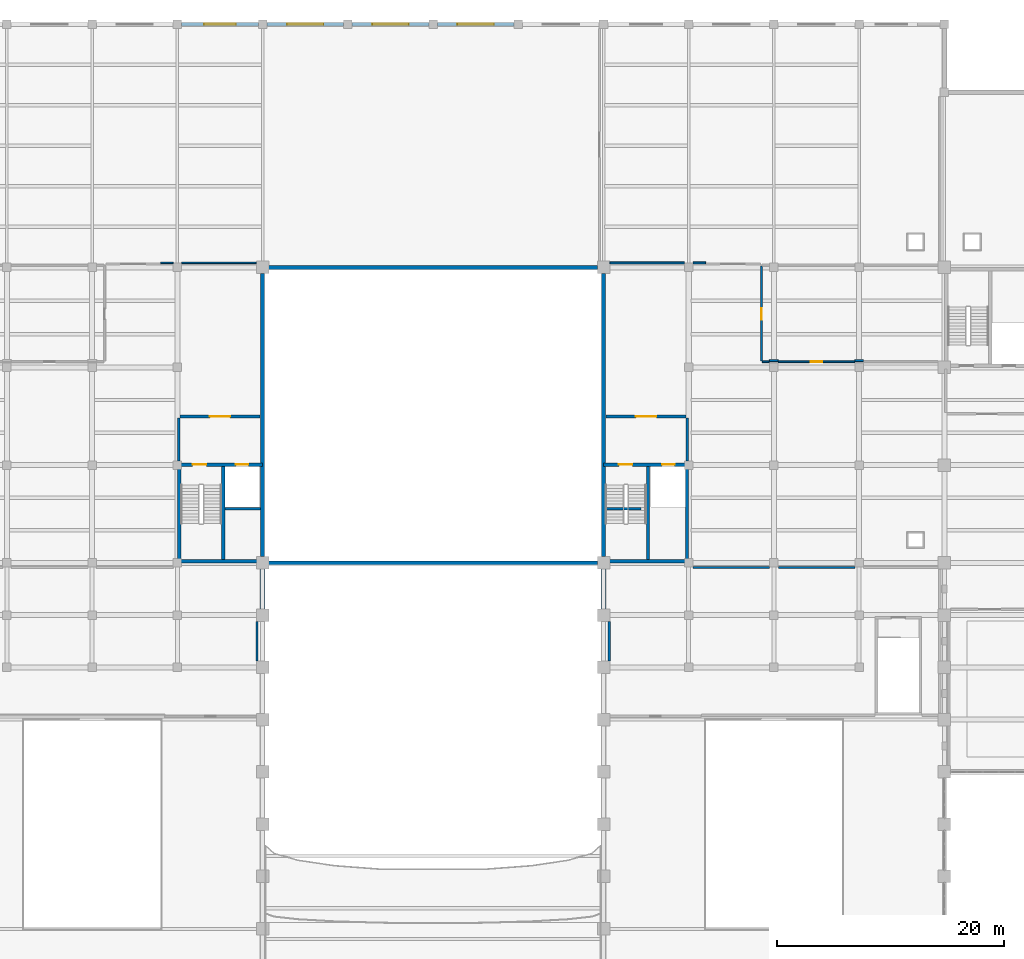
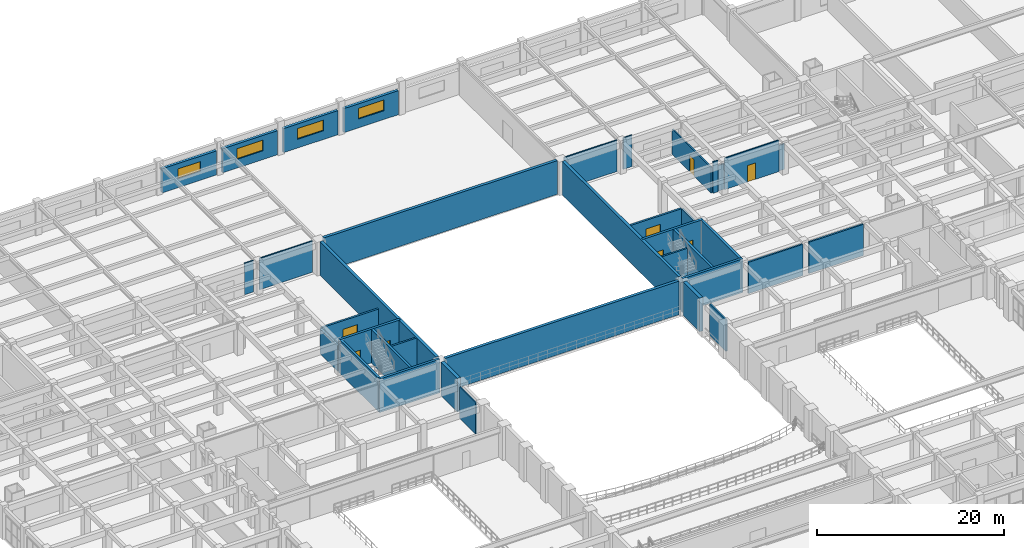
# One storey, part 74 of 90: 37 walls, 8 doors, 4 windows, 12 openings.
"""IFC4 building model written with IfcOpenShell, lengths in metres."""

import ifcopenshell
import ifcopenshell.guid

model = None  # the IFC model being written
_history = None  # IfcOwnerHistory: only IFC2X3 demands one
_inside = {}  # id of a spatial element -> (the spatial element, [elements in it])
_under = {}  # id of a project, library or spatial element -> (it, [spatial elements below it])
_declared = {}  # id of a project -> (the project, [libraries it declares])
_typed = {}  # id of a type object -> (the type object, [elements of that type])
_made_of = {}  # id of a material, layer set ... -> (it, [elements and type objects made of it])


def new_model(schema):
    """Start an empty IFC model of exactly this schema.

    Asked for "IFC4X3", IfcOpenShell would pick the latest addendum, in which some entities
    have other attributes; the version numbers below select the first issue.
    IFC2X3 requires an IfcOwnerHistory on every rooted entity: one is made here for all.
    """
    global model, _history
    if schema == "IFC4X3":
        model = ifcopenshell.file(schema_version=(4, 3, 0, 0))
    else:
        model = ifcopenshell.file(schema=schema)
    _inside.clear()
    _under.clear()
    _declared.clear()
    _typed.clear()
    _made_of.clear()
    _history = None
    if model.schema == "IFC2X3":
        org = make("IfcOrganization", Name="unknown")
        user = make(
            "IfcPersonAndOrganization",
            ThePerson=make("IfcPerson", FamilyName="unknown"),
            TheOrganization=org,
        )
        app = make(
            "IfcApplication",
            ApplicationDeveloper=org,
            Version="unknown",
            ApplicationFullName="unknown",
            ApplicationIdentifier="unknown",
        )
        _history = make(
            "IfcOwnerHistory",
            OwningUser=user,
            OwningApplication=app,
            ChangeAction="ADDED",
            CreationDate=0,
        )
    return model


def make(cls, **values):
    """One entity of the class cls with the attributes given. An attribute that is None is left unset."""
    return model.create_entity(
        cls, **{name: value for name, value in values.items() if value is not None}
    )


def rooted(cls, **values):
    """An entity with a GlobalId (a new one), such as an element, a storey or a relation."""
    return make(cls, GlobalId=ifcopenshell.guid.new(), OwnerHistory=_history, **values)


def si_unit(unit_type, name, prefix=None):
    """IfcSIUnit, for example si_unit("LENGTHUNIT", "METRE", prefix="MILLI")."""
    return make("IfcSIUnit", UnitType=unit_type, Prefix=prefix, Name=name)


def assignment(units):
    """IfcUnitAssignment: the units of a project."""
    return None if units is None else make("IfcUnitAssignment", Units=units)


def point(xyz):
    """IfcCartesianPoint."""
    return None if xyz is None else make("IfcCartesianPoint", Coordinates=xyz)


def direction(xyz):
    """IfcDirection."""
    return None if xyz is None else make("IfcDirection", DirectionRatios=xyz)


def frame(location, z_axis=None, x_axis=None):
    """IfcAxis2Placement3D, a coordinate frame: its origin and axes. An axis left out is left unset."""
    return make(
        "IfcAxis2Placement3D",
        Location=point(location),
        Axis=direction(z_axis),
        RefDirection=direction(x_axis),
    )


def frame_2d(location, x_axis=None):
    """IfcAxis2Placement2D, a coordinate frame in the plane: its origin and x axis."""
    return make(
        "IfcAxis2Placement2D", Location=point(location), RefDirection=direction(x_axis)
    )


def origin():
    """The frame at (0, 0, 0) with its axes left unset."""
    return frame((0.0, 0.0, 0.0))


def place(relative_to, where):
    """IfcLocalPlacement: puts the frame where relative to a parent placement (None: the world)."""
    return make(
        "IfcLocalPlacement", PlacementRelTo=relative_to, RelativePlacement=where
    )


def context(
    kind, dimensions, precision=None, world=None, true_north=None, identifier=None
):
    """IfcGeometricRepresentationContext, for example the 3D "Model" context."""
    return make(
        "IfcGeometricRepresentationContext",
        ContextIdentifier=identifier,
        ContextType=kind,
        CoordinateSpaceDimension=dimensions,
        Precision=precision,
        WorldCoordinateSystem=world,
        TrueNorth=true_north,
    )


def subcontext(parent, identifier, kind, view, scale=None):
    """IfcGeometricRepresentationSubContext, for example "Body" below "Model"."""
    return make(
        "IfcGeometricRepresentationSubContext",
        ContextIdentifier=identifier,
        ContextType=kind,
        ParentContext=parent,
        TargetScale=scale,
        TargetView=view,
    )


def project(units=None, contexts=None):
    """IfcProject with its units and contexts."""
    return rooted(
        "IfcProject",
        Name="project",
        RepresentationContexts=contexts,
        UnitsInContext=assignment(units),
    )


def spatial(cls, under=None, at=None, **own):
    """A site, building, storey or space (cls), placed at a placement, below another one or the project."""
    s = rooted(cls, ObjectPlacement=at, **own)
    if under is not None:
        _under.setdefault(under.id(), (under, []))[1].append(s)
    return s


def profile(cls, at=None, kind="AREA", **sizes):
    """A parametric profile (cls). Its sizes go by their IFC names, for example OverallWidth=200.0."""
    return make(cls, ProfileType=kind, Position=at, **sizes)


def rectangle(**sizes):
    """IfcRectangleProfileDef."""
    return profile("IfcRectangleProfileDef", **sizes)


def extrude(swept, where, along, depth):
    """IfcExtrudedAreaSolid: the profile swept, set in the frame where, extruded along a direction by depth."""
    return make(
        "IfcExtrudedAreaSolid",
        SweptArea=swept,
        Position=where,
        ExtrudedDirection=direction(along),
        Depth=depth,
    )


def shape(context_of_items, identifier, shape_type, items):
    """IfcShapeRepresentation: the items that make up one representation, for example the "Body"."""
    return make(
        "IfcShapeRepresentation",
        ContextOfItems=context_of_items,
        RepresentationIdentifier=identifier,
        RepresentationType=shape_type,
        Items=items,
    )


def material(Name=None, Category=None):
    """IfcMaterial."""
    return make("IfcMaterial", Name=Name, Category=Category)


def layer(
    of_material, thickness, ventilated=None, Name=None, Category=None, Priority=None
):
    """IfcMaterialLayer: one layer of a wall or slab, of a material (None: an air gap)."""
    return make(
        "IfcMaterialLayer",
        Material=of_material,
        LayerThickness=thickness,
        IsVentilated=ventilated,
        Name=Name,
        Category=Category,
        Priority=Priority,
    )


def layer_set(layers, Name=None):
    """IfcMaterialLayerSet."""
    return make("IfcMaterialLayerSet", MaterialLayers=layers, LayerSetName=Name)


def made_of(thing, what):
    """Note that an element or type object is made of a material, layer set ...; save() writes the relation."""
    if what is not None:
        _made_of.setdefault(what.id(), (what, []))[1].append(thing)
    return thing


def type_object(cls, material=None, **own):
    """A type object (cls), such as IfcWallType, which elements share."""
    return made_of(rooted(cls, **own), material)


def element(
    cls,
    number,
    at=None,
    inside=None,
    cuts=None,
    type_object=None,
    material=None,
    context=None,
    identifier="Body",
    shape_type=None,
    held_by="IfcProductDefinitionShape",
    body=None,
    shapes=None,
    **own,
):
    """One element of the class cls, such as IfcWall. Its Tag is "e" and its number.

    at: its placement. inside: the storey or other place that contains it. cuts: it is an
    opening in that element (IfcRelVoidsElement). A single representation is given by context,
    identifier, shape_type and body (its items); several are given by shapes. held_by: the class
    of the entity that holds the representations. save() writes the other relations.
    """
    e = rooted(cls, Tag="e%d" % number, ObjectPlacement=at, **own)
    if body is not None:
        shapes = [shape(context, identifier, shape_type, body)]
    if shapes is not None:
        e.Representation = make(held_by, Representations=shapes)
    if inside is not None:
        _inside.setdefault(inside.id(), (inside, []))[1].append(e)
    if cuts is not None:
        rooted(
            "IfcRelVoidsElement", RelatingBuildingElement=cuts, RelatedOpeningElement=e
        )
    if type_object is not None:
        _typed.setdefault(type_object.id(), (type_object, []))[1].append(e)
    return made_of(e, material)


def fill(opening, filler):
    """IfcRelFillsElement: the door or window that sits in an opening."""
    return rooted(
        "IfcRelFillsElement",
        RelatingOpeningElement=opening,
        RelatedBuildingElement=filler,
    )


def aggregate(whole, parts):
    """IfcRelAggregates: a whole, such as a stair, and the parts it consists of."""
    return rooted("IfcRelAggregates", RelatingObject=whole, RelatedObjects=parts)


def save(model, path):
    """Write the relations noted so far, then the file.

    IfcRelAggregates (storeys below a building ...), IfcRelContainedInSpatialStructure (elements
    in a storey), IfcRelDefinesByType, IfcRelAssociatesMaterial and IfcRelDeclares: one each for
    every whole, place, type object, material and project.
    """
    for whole, parts in _under.values():
        aggregate(whole, parts)
    for where, things in _inside.values():
        rooted(
            "IfcRelContainedInSpatialStructure",
            RelatedElements=things,
            RelatingStructure=where,
        )
    for kind, things in _typed.values():
        rooted("IfcRelDefinesByType", RelatedObjects=things, RelatingType=kind)
    for what, things in _made_of.values():
        rooted("IfcRelAssociatesMaterial", RelatedObjects=things, RelatingMaterial=what)
    for by, libraries in _declared.values():
        rooted("IfcRelDeclares", RelatingContext=by, RelatedDefinitions=libraries)
    model.write(path)


model = new_model("IFC4")

# Units and contexts
model_context = context("Model", 3, precision=1e-05, world=origin(), true_north=direction((0.0, 1.0)))
body_context = subcontext(model_context, "Body", "Model", "MODEL_VIEW")
ifc_project = project(units=[si_unit("LENGTHUNIT", "METRE"), si_unit("AREAUNIT", "SQUARE_METRE"), si_unit("VOLUMEUNIT", "CUBIC_METRE"), si_unit("PLANEANGLEUNIT", "RADIAN"), si_unit("MASSUNIT", "GRAM", prefix="KILO")], contexts=[model_context])

# Site, building, storey
site_placement = place(None, origin())
site = spatial("IfcSite", under=ifc_project, at=site_placement, CompositionType="ELEMENT")
building_placement = place(site_placement, origin())
building = spatial("IfcBuilding", under=site, at=building_placement, Name="Muzn Square Opera House", CompositionType="ELEMENT")
storey_placement = place(building_placement, frame((0.0, 0.0, 9.800048828125)))
storey = spatial("IfcBuildingStorey", under=building, at=storey_placement, Name="L02", CompositionType="ELEMENT", Elevation=9.800048828125)

# Walls
ifc_material_1 = material(Name="Concrete C45/55", Category="concrete")
ifc_layer_1 = layer(ifc_material_1, 0.419921875, Name="Concrete C45/55", Category="concrete")
ifc_layer_set_1 = layer_set([ifc_layer_1], Name="Concrete C45/55")
wall_type_1 = type_object("IfcWallType", Name="Auditorium Acoustic Shear Wall 420mm", PredefinedType="SHEAR", material=ifc_layer_set_1)
for number, where, z_axis, x_axis, name in (
    (1, (73.0, 68.5400390625, 0.0), (0.0, 0.0, 1.0), (0.0, 1.0, 0.0), "Auditorium Acoustic Shear Wall AUDW-L02-W10"),
    (2, (103.0, 68.5400390625, 0.0), (0.0, 0.0, 1.0), (0.0, 1.0, 0.0), "Auditorium Acoustic Shear Wall AUDW-L02-E10"),
):
    element("IfcWall", number, at=place(storey_placement, frame(where, z_axis=z_axis, x_axis=x_axis)), inside=storey, type_object=wall_type_1, Name=name, PredefinedType="SHEAR", context=body_context, shape_type="SweptSolid", body=[
        extrude(rectangle(XDim=3.52001953125, YDim=0.419921875, at=frame_2d((1.760009765625, 0.0))), origin(), (0.0, 0.0, 1.0), 4.39990234375),
    ])
ifc_layer_2 = layer(ifc_material_1, 0.300048828125, Name="Concrete C45/55", Category="concrete")
ifc_layer_set_2 = layer_set([ifc_layer_2], Name="Concrete C45/55")
wall_type_2 = type_object("IfcWallType", Name="Core Shear Wall 300mm", PredefinedType="SHEAR", material=ifc_layer_set_2)
wall_1_placement = place(storey_placement, frame((65.5, 72.75, 0.0), z_axis=(0.0, 0.0, 1.0), x_axis=(1.0, 0.0, 0.0)))
element("IfcWall", 3, at=wall_1_placement, inside=storey, type_object=wall_type_2, Name="Core C1 Shear Wall SW-C1-L02-S", PredefinedType="SHEAR", context=body_context, shape_type="SweptSolid", body=[
    extrude(rectangle(XDim=7.5, YDim=0.300048828125, at=frame_2d((3.75, 0.0))), origin(), (0.0, 0.0, 1.0), 4.39990234375),
])
for number, where, z_axis, x_axis, name in (
    (4, (65.64990234375, 72.89990234375, 0.0), (0.0, 0.0, 1.0), (0.0, 1.0, 0.0), "Core C1 Shear Wall SW-C1-L02-W"),
    (5, (69.550048828125, 72.89990234375, 0.0), (0.0, 0.0, 1.0), (0.0, 1.0, 0.0), "Core C1 Shear Wall SW-C1-L02-DIV"),
):
    element("IfcWall", number, at=place(storey_placement, frame(where, z_axis=z_axis, x_axis=x_axis)), inside=storey, type_object=wall_type_2, Name=name, PredefinedType="SHEAR", context=body_context, shape_type="SweptSolid", body=[
        extrude(rectangle(XDim=8.2001953125, YDim=0.300048828125, at=frame_2d((4.10009765625, 0.0))), origin(), (0.0, 0.0, 1.0), 4.39990234375),
    ])
wall_2_placement = place(storey_placement, frame((103.0, 72.75, 0.0), z_axis=(0.0, 0.0, 1.0), x_axis=(1.0, 0.0, 0.0)))
element("IfcWall", 6, at=wall_2_placement, inside=storey, type_object=wall_type_2, Name="Core C2 Shear Wall SW-C2-L02-S", PredefinedType="SHEAR", context=body_context, shape_type="SweptSolid", body=[
    extrude(rectangle(XDim=7.5, YDim=0.300048828125, at=frame_2d((3.75, 0.0))), origin(), (0.0, 0.0, 1.0), 4.39990234375),
])
for number, where, z_axis, x_axis, name in (
    (7, (110.35009765625, 72.89990234375, 0.0), (0.0, 0.0, 1.0), (0.0, 1.0, 0.0), "Core C2 Shear Wall SW-C2-L02-E"),
    (8, (106.919921875, 72.89990234375, 0.0), (0.0, 0.0, 1.0), (0.0, 1.0, 0.0), "Core C2 Shear Wall SW-C2-L02-DIV"),
):
    element("IfcWall", number, at=place(storey_placement, frame(where, z_axis=z_axis, x_axis=x_axis)), inside=storey, type_object=wall_type_2, Name=name, PredefinedType="SHEAR", context=body_context, shape_type="SweptSolid", body=[
        extrude(rectangle(XDim=8.2001953125, YDim=0.300048828125, at=frame_2d((4.10009765625, 0.0))), origin(), (0.0, 0.0, 1.0), 4.39990234375),
    ])

# Wall, openings, doors
wall_3_placement = place(storey_placement, frame((65.5, 81.25, 0.0), z_axis=(0.0, 0.0, 1.0), x_axis=(1.0, 0.0, 0.0)))
wall_3 = element("IfcWall", 9, at=wall_3_placement, inside=storey, type_object=wall_type_2, Name="Core C1 Front Shear Wall L02", PredefinedType="SHEAR", context=body_context, shape_type="SweptSolid", body=[
    extrude(rectangle(XDim=7.5, YDim=0.300048828125, at=frame_2d((3.75, 0.0))), origin(), (0.0, 0.0, 1.0), 4.39990234375),
])
opening_1_placement = place(wall_3_placement, frame((1.35009765625, 0.0, 0.0)))
opening_1 = element("IfcOpeningElement", 10, at=opening_1_placement, cuts=wall_3, Name="Opening DR-ST12", PredefinedType="OPENING", context=body_context, shape_type="SweptSolid", body=[
    extrude(rectangle(XDim=1.199951171875, YDim=2.14990234375, at=frame_2d((0.60009765625, 1.074951171875))), frame((0.0, 0.159912109375, 0.0), z_axis=(0.0, -1.0, 0.0), x_axis=(1.0, 0.0, 0.0)), (0.0, 0.0, 1.0), 0.320068359375),
])
opening_2_placement = place(wall_3_placement, frame((5.14990234375, 0.0, 0.0)))
opening_2 = element("IfcOpeningElement", 11, at=opening_2_placement, cuts=wall_3, Name="Opening LD-01", PredefinedType="OPENING", context=body_context, shape_type="SweptSolid", body=[
    extrude(rectangle(XDim=1.10009765625, YDim=2.14990234375, at=frame_2d((0.550048828125, 1.074951171875))), frame((0.0, 0.159912109375, 0.0), z_axis=(0.0, -1.0, 0.0), x_axis=(1.0, 0.0, 0.0)), (0.0, 0.0, 1.0), 0.320068359375),
])
ifc_material_2 = material(Name="Galvanised painted steel leaf", Category="metal")
door_type_1 = type_object("IfcDoorType", Name="Core Stair Fire Door 1200x2150", OperationType="NOTDEFINED", PredefinedType="DOOR", material=ifc_material_2)
door_1_placement = place(opening_1_placement, origin())
door_1 = element("IfcDoor", 12, at=door_1_placement, inside=storey, type_object=door_type_1, Name="Core C1 Stair Door L02", OperationType="SINGLE_SWING_RIGHT", OverallHeight=2.14990234375, OverallWidth=1.199951171875, PredefinedType="DOOR", context=body_context, shape_type="SweptSolid", body=[
    extrude(rectangle(XDim=1.199951171875, YDim=2.14990234375, at=frame_2d((0.60009765625, 1.074951171875))), frame((0.0, 0.02490234375, 0.0), z_axis=(0.0, -1.0, 0.0), x_axis=(1.0, 0.0, 0.0)), (0.0, 0.0, 1.0), 0.050048828125),
])
fill(opening_1, door_1)
ifc_material_3 = material(Name="Brushed stainless steel", Category="metal")
door_type_2 = type_object("IfcDoorType", Name="Lift Landing Sliding Door 1100x2150", OperationType="SLIDING_TO_LEFT", PredefinedType="DOOR", material=ifc_material_3)
door_2_placement = place(opening_2_placement, origin())
door_2 = element("IfcDoor", 13, at=door_2_placement, inside=storey, type_object=door_type_2, Name="Lift FFL-1 Sliding Landing Door L02", OperationType="SLIDING_TO_LEFT", OverallHeight=2.14990234375, OverallWidth=1.10009765625, PredefinedType="DOOR", context=body_context, shape_type="SweptSolid", body=[
    extrude(rectangle(XDim=1.10009765625, YDim=2.14990234375, at=frame_2d((0.550048828125, 1.074951171875))), frame((0.0, 0.02490234375, 0.0), z_axis=(0.0, -1.0, 0.0), x_axis=(1.0, 0.0, 0.0)), (0.0, 0.0, 1.0), 0.050048828125),
])
fill(opening_2, door_2)

wall_4_placement = place(storey_placement, frame((103.0, 81.25, 0.0), z_axis=(0.0, 0.0, 1.0), x_axis=(1.0, 0.0, 0.0)))
wall_4 = element("IfcWall", 14, at=wall_4_placement, inside=storey, type_object=wall_type_2, Name="Core C2 Front Shear Wall L02", PredefinedType="SHEAR", context=body_context, shape_type="SweptSolid", body=[
    extrude(rectangle(XDim=7.5, YDim=0.300048828125, at=frame_2d((3.75, 0.0))), origin(), (0.0, 0.0, 1.0), 4.39990234375),
])
opening_3_placement = place(wall_4_placement, frame((1.35009765625, 0.0, 0.0)))
opening_3 = element("IfcOpeningElement", 15, at=opening_3_placement, cuts=wall_4, Name="Opening DR-ST12", PredefinedType="OPENING", context=body_context, shape_type="SweptSolid", body=[
    extrude(rectangle(XDim=1.199951171875, YDim=2.14990234375, at=frame_2d((0.60009765625, 1.074951171875))), frame((0.0, 0.159912109375, 0.0), z_axis=(0.0, -1.0, 0.0), x_axis=(1.0, 0.0, 0.0)), (0.0, 0.0, 1.0), 0.320068359375),
])
opening_4_placement = place(wall_4_placement, frame((5.14990234375, 0.0, 0.0)))
opening_4 = element("IfcOpeningElement", 16, at=opening_4_placement, cuts=wall_4, Name="Opening LD-01", PredefinedType="OPENING", context=body_context, shape_type="SweptSolid", body=[
    extrude(rectangle(XDim=1.10009765625, YDim=2.14990234375, at=frame_2d((0.550048828125, 1.074951171875))), frame((0.0, 0.159912109375, 0.0), z_axis=(0.0, -1.0, 0.0), x_axis=(1.0, 0.0, 0.0)), (0.0, 0.0, 1.0), 0.320068359375),
])
door_3_placement = place(opening_3_placement, origin())
door_3 = element("IfcDoor", 17, at=door_3_placement, inside=storey, type_object=door_type_1, Name="Core C2 Stair Door L02", OperationType="SINGLE_SWING_LEFT", OverallHeight=2.14990234375, OverallWidth=1.199951171875, PredefinedType="DOOR", context=body_context, shape_type="SweptSolid", body=[
    extrude(rectangle(XDim=1.199951171875, YDim=2.14990234375, at=frame_2d((0.60009765625, 1.074951171875))), frame((0.0, 0.02490234375, 0.0), z_axis=(0.0, -1.0, 0.0), x_axis=(1.0, 0.0, 0.0)), (0.0, 0.0, 1.0), 0.050048828125),
])
fill(opening_3, door_3)
door_4_placement = place(opening_4_placement, origin())
door_4 = element("IfcDoor", 18, at=door_4_placement, inside=storey, type_object=door_type_2, Name="Lift FFL-2 Sliding Landing Door L02", OperationType="SLIDING_TO_LEFT", OverallHeight=2.14990234375, OverallWidth=1.10009765625, PredefinedType="DOOR", context=body_context, shape_type="SweptSolid", body=[
    extrude(rectangle(XDim=1.10009765625, YDim=2.14990234375, at=frame_2d((0.550048828125, 1.074951171875))), frame((0.0, 0.02490234375, 0.0), z_axis=(0.0, -1.0, 0.0), x_axis=(1.0, 0.0, 0.0)), (0.0, 0.0, 1.0), 0.050048828125),
])
fill(opening_4, door_4)

# Walls
ifc_material_4 = material(Name="Acoustic gypsum stud partition", Category="gypsum")
ifc_layer_3 = layer(ifc_material_4, 0.199951171875, Name="Acoustic gypsum stud partition", Category="gypsum")
ifc_layer_set_3 = layer_set([ifc_layer_3], Name="Acoustic gypsum stud partition")
wall_type_3 = type_object("IfcWallType", Name="Corridor Rated Partition 200mm", PredefinedType="PARTITIONING", material=ifc_layer_set_3)
for number, where, z_axis, x_axis, name in (
    (19, (110.8798828125, 72.199951171875, 0.0), (0.0, 0.0, 1.0), (1.0, 0.0, 0.0), "Room Enclosure Partition PW-L02-0307"),
    (20, (118.3798828125, 72.199951171875, 0.0), (0.0, 0.0, 1.0), (1.0, 0.0, 0.0), "Room Enclosure Partition PW-L02-0308"),
):
    element("IfcWall", number, at=place(storey_placement, frame(where, z_axis=z_axis, x_axis=x_axis)), inside=storey, type_object=wall_type_3, Name=name, PredefinedType="PARTITIONING", context=body_context, shape_type="SweptSolid", body=[
        extrude(rectangle(XDim=6.740234375, YDim=0.199951171875, at=frame_2d((3.3701171875, 0.0))), origin(), (0.0, 0.0, 1.0), 4.099853515625),
    ])
wall_5_placement = place(storey_placement, frame((103.5, 63.969970703125, 0.0), z_axis=(0.0, 0.0, 1.0), x_axis=(0.0, 1.0, 0.0)))
element("IfcWall", 21, at=wall_5_placement, inside=storey, type_object=wall_type_3, Name="Room Enclosure Partition PW-L02-0310", PredefinedType="PARTITIONING", context=body_context, shape_type="SweptSolid", body=[
    extrude(rectangle(XDim=3.4599609375, YDim=0.199951171875, at=frame_2d((1.72998046875, 0.0))), origin(), (0.0, 0.0, 1.0), 4.099853515625),
])

# Wall, opening, window
ifc_material_5 = material(Name="Concrete C40/50", Category="concrete")
ifc_layer_4 = layer(ifc_material_5, 0.340087890625, Name="Concrete C40/50", Category="concrete")
ifc_layer_set_4 = layer_set([ifc_layer_4], Name="Concrete C40/50")
wall_type_4 = type_object("IfcWallType", Name="Exterior Insulated Spandrel Wall 340mm", PredefinedType="SOLIDWALL", material=ifc_layer_set_4)
wall_6_placement = place(storey_placement, frame((65.875, 120.0, 0.0), z_axis=(0.0, 0.0, 1.0), x_axis=(1.0, 0.0, 0.0)))
wall_6 = element("IfcWall", 22, at=wall_6_placement, inside=storey, type_object=wall_type_4, Name="Exterior Facade Wall EW-L02-062", PredefinedType="SOLIDWALL", context=body_context, shape_type="SweptSolid", body=[
    extrude(rectangle(XDim=6.75, YDim=0.340087890625, at=frame_2d((3.375, 0.0))), origin(), (0.0, 0.0, 1.0), 3.14990234375),
])
opening_5_placement = place(wall_6_placement, frame((1.97509765625, 0.0, 1.14990234375)))
opening_5 = element("IfcOpeningElement", 23, at=opening_5_placement, cuts=wall_6, Name="Opening WN-S2813", PredefinedType="OPENING", context=body_context, shape_type="SweptSolid", body=[
    extrude(rectangle(XDim=2.800048828125, YDim=1.300048828125, at=frame_2d((1.39990234375, 0.64990234375))), frame((0.0, 0.179931640625, 0.0), z_axis=(0.0, -1.0, 0.0), x_axis=(1.0, 0.0, 0.0)), (0.0, 0.0, 1.0), 0.360107421875),
])
ifc_material_6 = material(Name="Low-E laminated acoustic double glazing", Category="glass")
window_type_1 = type_object("IfcWindowType", Name="Scenery Clerestory Window 2800x1300", PartitioningType="DOUBLE_PANEL_HORIZONTAL", PredefinedType="WINDOW", material=ifc_material_6)
window_1_placement = place(opening_5_placement, origin())
window_1 = element("IfcWindow", 24, at=window_1_placement, inside=storey, type_object=window_type_1, Name="Scenery Clerestory Window 2800x1300 EW-L02-062-WN01", OverallHeight=1.300048828125, OverallWidth=2.800048828125, PartitioningType="SINGLE_PANEL", PredefinedType="WINDOW", context=body_context, shape_type="SweptSolid", body=[
    extrude(rectangle(XDim=2.800048828125, YDim=1.300048828125, at=frame_2d((1.39990234375, 0.64990234375))), frame((0.0, 0.030029296875, 0.0), z_axis=(0.0, -1.0, 0.0), x_axis=(1.0, 0.0, 0.0)), (0.0, 0.0, 1.0), 0.06005859375),
])
fill(opening_5, window_1)

wall_7_placement = place(storey_placement, frame((73.375, 120.0, 0.0), z_axis=(0.0, 0.0, 1.0), x_axis=(1.0, 0.0, 0.0)))
wall_7 = element("IfcWall", 25, at=wall_7_placement, inside=storey, type_object=wall_type_4, Name="Exterior Facade Wall EW-L02-063", PredefinedType="SOLIDWALL", context=body_context, shape_type="SweptSolid", body=[
    extrude(rectangle(XDim=6.75, YDim=0.340087890625, at=frame_2d((3.375, 0.0))), origin(), (0.0, 0.0, 1.0), 3.14990234375),
])
opening_6_placement = place(wall_7_placement, frame((1.77490234375, 0.0, 1.14990234375)))
opening_6 = element("IfcOpeningElement", 26, at=opening_6_placement, cuts=wall_7, Name="Opening WN-S3214", PredefinedType="OPENING", context=body_context, shape_type="SweptSolid", body=[
    extrude(rectangle(XDim=3.199951171875, YDim=1.39990234375, at=frame_2d((1.60009765625, 0.699951171875))), frame((0.0, 0.179931640625, 0.0), z_axis=(0.0, -1.0, 0.0), x_axis=(1.0, 0.0, 0.0)), (0.0, 0.0, 1.0), 0.360107421875),
])
window_type_2 = type_object("IfcWindowType", Name="Scenery Clerestory Window 3200x1400", PartitioningType="TRIPLE_PANEL_VERTICAL", PredefinedType="WINDOW", material=ifc_material_6)
window_2_placement = place(opening_6_placement, origin())
window_2 = element("IfcWindow", 27, at=window_2_placement, inside=storey, type_object=window_type_2, Name="Scenery Clerestory Window 3200x1400 EW-L02-063-WN01", OverallHeight=1.39990234375, OverallWidth=3.199951171875, PartitioningType="SINGLE_PANEL", PredefinedType="WINDOW", context=body_context, shape_type="SweptSolid", body=[
    extrude(rectangle(XDim=3.199951171875, YDim=1.39990234375, at=frame_2d((1.60009765625, 0.699951171875))), frame((0.0, 0.030029296875, 0.0), z_axis=(0.0, -1.0, 0.0), x_axis=(1.0, 0.0, 0.0)), (0.0, 0.0, 1.0), 0.06005859375),
])
fill(opening_6, window_2)

wall_8_placement = place(storey_placement, frame((80.875, 120.0, 0.0), z_axis=(0.0, 0.0, 1.0), x_axis=(1.0, 0.0, 0.0)))
wall_8 = element("IfcWall", 28, at=wall_8_placement, inside=storey, type_object=wall_type_4, Name="Exterior Facade Wall EW-L02-064", PredefinedType="SOLIDWALL", context=body_context, shape_type="SweptSolid", body=[
    extrude(rectangle(XDim=6.75, YDim=0.340087890625, at=frame_2d((3.375, 0.0))), origin(), (0.0, 0.0, 1.0), 3.14990234375),
])
opening_7_placement = place(wall_8_placement, frame((1.77490234375, 0.0, 1.14990234375)))
opening_7 = element("IfcOpeningElement", 29, at=opening_7_placement, cuts=wall_8, Name="Opening WN-S3214", PredefinedType="OPENING", context=body_context, shape_type="SweptSolid", body=[
    extrude(rectangle(XDim=3.199951171875, YDim=1.39990234375, at=frame_2d((1.60009765625, 0.699951171875))), frame((0.0, 0.179931640625, 0.0), z_axis=(0.0, -1.0, 0.0), x_axis=(1.0, 0.0, 0.0)), (0.0, 0.0, 1.0), 0.360107421875),
])
window_3_placement = place(opening_7_placement, origin())
window_3 = element("IfcWindow", 30, at=window_3_placement, inside=storey, type_object=window_type_2, Name="Scenery Clerestory Window 3200x1400 EW-L02-064-WN01", OverallHeight=1.39990234375, OverallWidth=3.199951171875, PartitioningType="SINGLE_PANEL", PredefinedType="WINDOW", context=body_context, shape_type="SweptSolid", body=[
    extrude(rectangle(XDim=3.199951171875, YDim=1.39990234375, at=frame_2d((1.60009765625, 0.699951171875))), frame((0.0, 0.030029296875, 0.0), z_axis=(0.0, -1.0, 0.0), x_axis=(1.0, 0.0, 0.0)), (0.0, 0.0, 1.0), 0.06005859375),
])
fill(opening_7, window_3)

wall_9_placement = place(storey_placement, frame((88.375, 120.0, 0.0), z_axis=(0.0, 0.0, 1.0), x_axis=(1.0, 0.0, 0.0)))
wall_9 = element("IfcWall", 31, at=wall_9_placement, inside=storey, type_object=wall_type_4, Name="Exterior Facade Wall EW-L02-065", PredefinedType="SOLIDWALL", context=body_context, shape_type="SweptSolid", body=[
    extrude(rectangle(XDim=6.75, YDim=0.340087890625, at=frame_2d((3.375, 0.0))), origin(), (0.0, 0.0, 1.0), 3.14990234375),
])
opening_8_placement = place(wall_9_placement, frame((1.77490234375, 0.0, 1.14990234375)))
opening_8 = element("IfcOpeningElement", 32, at=opening_8_placement, cuts=wall_9, Name="Opening WN-S3214", PredefinedType="OPENING", context=body_context, shape_type="SweptSolid", body=[
    extrude(rectangle(XDim=3.199951171875, YDim=1.39990234375, at=frame_2d((1.60009765625, 0.699951171875))), frame((0.0, 0.179931640625, 0.0), z_axis=(0.0, -1.0, 0.0), x_axis=(1.0, 0.0, 0.0)), (0.0, 0.0, 1.0), 0.360107421875),
])
window_4_placement = place(opening_8_placement, origin())
window_4 = element("IfcWindow", 33, at=window_4_placement, inside=storey, type_object=window_type_2, Name="Scenery Clerestory Window 3200x1400 EW-L02-065-WN01", OverallHeight=1.39990234375, OverallWidth=3.199951171875, PartitioningType="SINGLE_PANEL", PredefinedType="WINDOW", context=body_context, shape_type="SweptSolid", body=[
    extrude(rectangle(XDim=3.199951171875, YDim=1.39990234375, at=frame_2d((1.60009765625, 0.699951171875))), frame((0.0, 0.030029296875, 0.0), z_axis=(0.0, -1.0, 0.0), x_axis=(1.0, 0.0, 0.0)), (0.0, 0.0, 1.0), 0.06005859375),
])
fill(opening_8, window_4)

# Wall, opening, door
ifc_layer_5 = layer(ifc_material_5, 0.239990234375, Name="Concrete C40/50", Category="concrete")
ifc_layer_set_5 = layer_set([ifc_layer_5], Name="Concrete C40/50")
wall_type_5 = type_object("IfcWallType", Name="Firefighting Lobby Wall 240mm", PredefinedType="SOLIDWALL", material=ifc_layer_set_5)
wall_10_placement = place(storey_placement, frame((65.739990234375, 85.47998046875, 0.0), z_axis=(0.0, 0.0, 1.0), x_axis=(1.0, 0.0, 0.0)))
wall_10 = element("IfcWall", 34, at=wall_10_placement, inside=storey, type_object=wall_type_5, Name="Lobby C1 Enclosure Wall L02", PredefinedType="SOLIDWALL", context=body_context, shape_type="SweptSolid", body=[
    extrude(rectangle(XDim=7.02001953125, YDim=0.239990234375, at=frame_2d((3.510009765625, 0.0))), origin(), (0.0, 0.0, 1.0), 3.300048828125),
])
opening_9_placement = place(wall_10_placement, frame((2.610107421875, 0.0, 0.0)))
opening_9 = element("IfcOpeningElement", 35, at=opening_9_placement, cuts=wall_10, Name="Opening DR-FL18", PredefinedType="OPENING", context=body_context, shape_type="SweptSolid", body=[
    extrude(rectangle(XDim=1.800048828125, YDim=2.179931640625, at=frame_2d((0.89990234375, 1.08984375))), frame((0.0, 0.1298828125, 0.0), z_axis=(0.0, -1.0, 0.0), x_axis=(1.0, 0.0, 0.0)), (0.0, 0.0, 1.0), 0.260009765625),
])
door_type_3 = type_object("IfcDoorType", Name="Firefighting Lobby Double Door 1800x2180", OperationType="DOUBLE_DOOR_SINGLE_SWING", PredefinedType="DOOR", material=ifc_material_2)
door_5_placement = place(opening_9_placement, origin())
door_5 = element("IfcDoor", 36, at=door_5_placement, inside=storey, type_object=door_type_3, Name="Lobby C1 Fire Door L02", OperationType="DOUBLE_DOOR_SINGLE_SWING", OverallHeight=2.179931640625, OverallWidth=1.800048828125, PredefinedType="DOOR", context=body_context, shape_type="SweptSolid", body=[
    extrude(rectangle(XDim=1.800048828125, YDim=2.179931640625, at=frame_2d((0.89990234375, 1.08984375))), frame((0.0, 0.02490234375, 0.0), z_axis=(0.0, -1.0, 0.0), x_axis=(1.0, 0.0, 0.0)), (0.0, 0.0, 1.0), 0.050048828125),
])
fill(opening_9, door_5)

# Wall
wall_11_placement = place(storey_placement, frame((65.6201171875, 81.550048828125, 0.0), z_axis=(0.0, 0.0, 1.0), x_axis=(0.0, 1.0, 0.0)))
element("IfcWall", 37, at=wall_11_placement, inside=storey, type_object=wall_type_5, Name="Lobby C1 Side Wall W L02", PredefinedType="SOLIDWALL", context=body_context, shape_type="SweptSolid", body=[
    extrude(rectangle(XDim=3.81005859375, YDim=0.239990234375, at=frame_2d((1.905029296875, 0.0))), origin(), (0.0, 0.0, 1.0), 3.300048828125),
])

# Wall, opening, door
wall_12_placement = place(storey_placement, frame((103.239990234375, 85.47998046875, 0.0), z_axis=(0.0, 0.0, 1.0), x_axis=(1.0, 0.0, 0.0)))
wall_12 = element("IfcWall", 38, at=wall_12_placement, inside=storey, type_object=wall_type_5, Name="Lobby C2 Enclosure Wall L02", PredefinedType="SOLIDWALL", context=body_context, shape_type="SweptSolid", body=[
    extrude(rectangle(XDim=7.02001953125, YDim=0.239990234375, at=frame_2d((3.510009765625, 0.0))), origin(), (0.0, 0.0, 1.0), 3.300048828125),
])
opening_10_placement = place(wall_12_placement, frame((2.610107421875, 0.0, 0.0)))
opening_10 = element("IfcOpeningElement", 39, at=opening_10_placement, cuts=wall_12, Name="Opening DR-FL18", PredefinedType="OPENING", context=body_context, shape_type="SweptSolid", body=[
    extrude(rectangle(XDim=1.800048828125, YDim=2.179931640625, at=frame_2d((0.89990234375, 1.08984375))), frame((0.0, 0.1298828125, 0.0), z_axis=(0.0, -1.0, 0.0), x_axis=(1.0, 0.0, 0.0)), (0.0, 0.0, 1.0), 0.260009765625),
])
door_6_placement = place(opening_10_placement, origin())
door_6 = element("IfcDoor", 40, at=door_6_placement, inside=storey, type_object=door_type_3, Name="Lobby C2 Fire Door L02", OperationType="DOUBLE_DOOR_SINGLE_SWING", OverallHeight=2.179931640625, OverallWidth=1.800048828125, PredefinedType="DOOR", context=body_context, shape_type="SweptSolid", body=[
    extrude(rectangle(XDim=1.800048828125, YDim=2.179931640625, at=frame_2d((0.89990234375, 1.08984375))), frame((0.0, 0.02490234375, 0.0), z_axis=(0.0, -1.0, 0.0), x_axis=(1.0, 0.0, 0.0)), (0.0, 0.0, 1.0), 0.050048828125),
])
fill(opening_10, door_6)

# Walls
wall_13_placement = place(storey_placement, frame((110.3798828125, 81.550048828125, 0.0), z_axis=(0.0, 0.0, 1.0), x_axis=(0.0, 1.0, 0.0)))
element("IfcWall", 41, at=wall_13_placement, inside=storey, type_object=wall_type_5, Name="Lobby C2 Side Wall E L02", PredefinedType="SOLIDWALL", context=body_context, shape_type="SweptSolid", body=[
    extrude(rectangle(XDim=3.81005859375, YDim=0.239990234375, at=frame_2d((1.905029296875, 0.0))), origin(), (0.0, 0.0, 1.0), 3.300048828125),
])
ifc_layer_6 = layer(ifc_material_1, 0.35009765625, Name="Concrete C45/55", Category="concrete")
ifc_layer_set_6 = layer_set([ifc_layer_6], Name="Concrete C45/55")
wall_type_6 = type_object("IfcWallType", Name="Fly Tower Shear Wall 350mm", PredefinedType="SHEAR", material=ifc_layer_set_6)
for number, where, z_axis, x_axis, name in (
    (42, (73.0, 73.139892578125, 0.0), (0.0, 0.0, 1.0), (0.0, 1.0, 0.0), "Fly Tower Shear Wall FTW-L02-W"),
    (43, (103.0, 73.139892578125, 0.0), (0.0, 0.0, 1.0), (0.0, 1.0, 0.0), "Fly Tower Shear Wall FTW-L02-E"),
):
    element("IfcWall", number, at=place(storey_placement, frame(where, z_axis=z_axis, x_axis=x_axis)), inside=storey, type_object=wall_type_6, Name=name, PredefinedType="SHEAR", context=body_context, shape_type="SweptSolid", body=[
        extrude(rectangle(XDim=24.920166015625, YDim=0.35009765625, at=frame_2d((12.4599609375, 0.0))), origin(), (0.0, 0.0, 1.0), 4.39990234375),
    ])
for number, where, z_axis, x_axis, name in (
    (44, (73.5400390625, 72.60009765625, 0.0), (0.0, 0.0, 1.0), (1.0, 0.0, 0.0), "Fly Tower Shear Wall FTW-L02-S"),
    (45, (73.5400390625, 98.60009765625, 0.0), (0.0, 0.0, 1.0), (1.0, 0.0, 0.0), "Fly Tower Shear Wall FTW-L02-N"),
):
    element("IfcWall", number, at=place(storey_placement, frame(where, z_axis=z_axis, x_axis=x_axis)), inside=storey, type_object=wall_type_6, Name=name, PredefinedType="SHEAR", context=body_context, shape_type="SweptSolid", body=[
        extrude(rectangle(XDim=28.919921875, YDim=0.35009765625, at=frame_2d((14.4599609375, 0.0))), origin(), (0.0, 0.0, 1.0), 4.39990234375),
    ])
ifc_layer_7 = layer(ifc_material_5, 0.219970703125, Name="Concrete C40/50", Category="concrete")
ifc_layer_set_7 = layer_set([ifc_layer_7], Name="Concrete C40/50")
wall_type_7 = type_object("IfcWallType", Name="Lift Lobby Wall 220mm", PredefinedType="SOLIDWALL", material=ifc_layer_set_7)
for number, where, z_axis, x_axis, name in (
    (46, (69.699951171875, 77.3798828125, 0.0), (0.0, 0.0, 1.0), (1.0, 0.0, 0.0), "Core C1 Lift Shaft South Wall L02"),
    (47, (103.179931640625, 77.3798828125, 0.0), (0.0, 0.0, 1.0), (1.0, 0.0, 0.0), "Core C2 Lift Shaft South Wall L02"),
):
    element("IfcWall", number, at=place(storey_placement, frame(where, z_axis=z_axis, x_axis=x_axis)), inside=storey, type_object=wall_type_7, Name=name, PredefinedType="SOLIDWALL", context=body_context, shape_type="SweptSolid", body=[
        extrude(rectangle(XDim=3.1201171875, YDim=0.219970703125, at=frame_2d((1.56005859375, 0.0))), origin(), (0.0, 0.0, 1.0), 4.39990234375),
    ])
ifc_layer_8 = layer(ifc_material_4, 0.14990234375, Name="Acoustic gypsum stud partition", Category="gypsum")
ifc_layer_set_8 = layer_set([ifc_layer_8], Name="Acoustic gypsum stud partition")
wall_type_8 = type_object("IfcWallType", Name="Office Acoustic Partition 150mm", PredefinedType="PARTITIONING", material=ifc_layer_set_8)
wall_14_placement = place(storey_placement, frame((72.5, 63.969970703125, 0.0), z_axis=(0.0, 0.0, 1.0), x_axis=(0.0, 1.0, 0.0)))
element("IfcWall", 48, at=wall_14_placement, inside=storey, type_object=wall_type_8, Name="Room Enclosure Partition PW-L02-0304", PredefinedType="PARTITIONING", context=body_context, shape_type="SweptSolid", body=[
    extrude(rectangle(XDim=3.4599609375, YDim=0.14990234375, at=frame_2d((1.72998046875, 0.0))), origin(), (0.0, 0.0, 1.0), 4.099853515625),
])
wall_15_placement = place(storey_placement, frame((65.8798828125, 99.0, 0.0), z_axis=(0.0, 0.0, 1.0), x_axis=(1.0, 0.0, 0.0)))
element("IfcWall", 49, at=wall_15_placement, inside=storey, type_object=wall_type_8, Name="Room Enclosure Partition PW-L02-0330", PredefinedType="PARTITIONING", context=body_context, shape_type="SweptSolid", body=[
    extrude(rectangle(XDim=6.550048828125, YDim=0.14990234375, at=frame_2d((3.27490234375, 0.0))), origin(), (0.0, 0.0, 1.0), 4.099853515625),
])
wall_16_placement = place(storey_placement, frame((64.02001953125, 99.0, 0.0), z_axis=(0.0, 0.0, 1.0), x_axis=(1.0, 0.0, 0.0)))
element("IfcWall", 50, at=wall_16_placement, inside=storey, type_object=wall_type_8, Name="Room Enclosure Partition PW-L02-0329", PredefinedType="PARTITIONING", context=body_context, shape_type="SweptSolid", body=[
    extrude(rectangle(XDim=1.10009765625, YDim=0.14990234375, at=frame_2d((0.550048828125, 0.0))), origin(), (0.0, 0.0, 1.0), 4.099853515625),
])

# Wall, opening, door
ifc_layer_9 = layer(ifc_material_4, 0.159912109375, Name="Acoustic gypsum stud partition", Category="gypsum")
ifc_layer_set_9 = layer_set([ifc_layer_9], Name="Acoustic gypsum stud partition")
wall_type_9 = type_object("IfcWallType", Name="Workshop Rated Partition 160mm", PredefinedType="PARTITIONING", material=ifc_layer_set_9)
wall_17_placement = place(storey_placement, frame((118.39501953125, 90.300048828125, 0.0), z_axis=(0.0, 0.0, 1.0), x_axis=(1.0, 0.0, 0.0)))
wall_17 = element("IfcWall", 51, at=wall_17_placement, inside=storey, type_object=wall_type_9, Name="Interior Partition PW-L02-0289", PredefinedType="PARTITIONING", context=body_context, shape_type="SweptSolid", body=[
    extrude(rectangle(XDim=6.7099609375, YDim=0.159912109375, at=frame_2d((3.35498046875, 0.0))), origin(), (0.0, 0.0, 1.0), 4.099853515625),
])
opening_11_placement = place(wall_17_placement, frame((2.864990234375, 0.0, 0.0)))
opening_11 = element("IfcOpeningElement", 52, at=opening_11_placement, cuts=wall_17, Name="Opening DR-TS98", PredefinedType="OPENING", context=body_context, shape_type="SweptSolid", body=[
    extrude(rectangle(XDim=0.97998046875, YDim=2.14990234375, at=frame_2d((0.489990234375, 1.074951171875))), frame((0.0, 0.08984375, 0.0), z_axis=(0.0, -1.0, 0.0), x_axis=(1.0, 0.0, 0.0)), (0.0, 0.0, 1.0), 0.179931640625),
])
ifc_material_7 = material(Name="Acoustic hardwood leaf", Category="wood")
door_type_4 = type_object("IfcDoorType", Name="Technical Studio Door 980x2150", OperationType="NOTDEFINED", PredefinedType="DOOR", material=ifc_material_7)
door_7_placement = place(opening_11_placement, origin())
door_7 = element("IfcDoor", 53, at=door_7_placement, inside=storey, type_object=door_type_4, Name="Lighting Cable Store Door DR-L02-0093", OperationType="SINGLE_SWING_LEFT", OverallHeight=2.14990234375, OverallWidth=0.97998046875, PredefinedType="DOOR", context=body_context, shape_type="SweptSolid", body=[
    extrude(rectangle(XDim=0.97998046875, YDim=2.14990234375, at=frame_2d((0.489990234375, 1.074951171875))), frame((0.0, 0.02490234375, 0.0), z_axis=(0.0, -1.0, 0.0), x_axis=(1.0, 0.0, 0.0)), (0.0, 0.0, 1.0), 0.050048828125),
])
fill(opening_11, door_7)

wall_18_placement = place(storey_placement, frame((116.89990234375, 90.385009765625, 0.0), z_axis=(0.0, 0.0, 1.0), x_axis=(0.0, 1.0, 0.0)))
wall_18 = element("IfcWall", 54, at=wall_18_placement, inside=storey, type_object=wall_type_9, Name="Interior Partition PW-L02-0292", PredefinedType="PARTITIONING", context=body_context, shape_type="SweptSolid", body=[
    extrude(rectangle(XDim=8.330078125, YDim=0.159912109375, at=frame_2d((4.1650390625, 0.0))), origin(), (0.0, 0.0, 1.0), 3.329833984375),
])
opening_12_placement = place(wall_18_placement, frame((3.625, 0.0, 0.0)))
opening_12 = element("IfcOpeningElement", 55, at=opening_12_placement, cuts=wall_18, Name="Opening DR-TS98", PredefinedType="OPENING", context=body_context, shape_type="SweptSolid", body=[
    extrude(rectangle(XDim=0.97998046875, YDim=2.14990234375, at=frame_2d((0.489990234375, 1.074951171875))), frame((0.0, 0.08984375, 0.0), z_axis=(0.0, -1.0, 0.0), x_axis=(1.0, 0.0, 0.0)), (0.0, 0.0, 1.0), 0.179931640625),
])
door_8_placement = place(opening_12_placement, origin())
door_8 = element("IfcDoor", 56, at=door_8_placement, inside=storey, type_object=door_type_4, Name="Lighting Cable Store Door DR-L02-0094", OperationType="SINGLE_SWING_RIGHT", OverallHeight=2.14990234375, OverallWidth=0.97998046875, PredefinedType="DOOR", context=body_context, shape_type="SweptSolid", body=[
    extrude(rectangle(XDim=0.97998046875, YDim=2.14990234375, at=frame_2d((0.489990234375, 1.074951171875))), frame((0.0, 0.02490234375, 0.0), z_axis=(0.0, -1.0, 0.0), x_axis=(1.0, 0.0, 0.0)), (0.0, 0.0, 1.0), 0.050048828125),
])
fill(opening_12, door_8)

# Walls
wall_19_placement = place(storey_placement, frame((103.570068359375, 99.0, 0.0), z_axis=(0.0, 0.0, 1.0), x_axis=(1.0, 0.0, 0.0)))
element("IfcWall", 57, at=wall_19_placement, inside=storey, type_object=wall_type_9, Name="Room Enclosure Partition PW-L02-0334", PredefinedType="PARTITIONING", context=body_context, shape_type="SweptSolid", body=[
    extrude(rectangle(XDim=6.550048828125, YDim=0.159912109375, at=frame_2d((3.27490234375, 0.0))), origin(), (0.0, 0.0, 1.0), 4.099853515625),
])
wall_20_placement = place(storey_placement, frame((110.8798828125, 99.0, 0.0), z_axis=(0.0, 0.0, 1.0), x_axis=(1.0, 0.0, 0.0)))
element("IfcWall", 58, at=wall_20_placement, inside=storey, type_object=wall_type_9, Name="Room Enclosure Partition PW-L02-0335", PredefinedType="PARTITIONING", context=body_context, shape_type="SweptSolid", body=[
    extrude(rectangle(XDim=1.10009765625, YDim=0.159912109375, at=frame_2d((0.550048828125, 0.0))), origin(), (0.0, 0.0, 1.0), 4.099853515625),
])
wall_21_placement = place(storey_placement, frame((117.60498046875, 90.39990234375, 0.0), z_axis=(0.0, 0.0, 1.0), x_axis=(1.0, 0.0, 0.0)))
element("IfcWall", 59, at=wall_21_placement, inside=storey, type_object=wall_type_9, Name="Room Enclosure Partition PW-L02-0337", PredefinedType="PARTITIONING", context=body_context, shape_type="SweptSolid", body=[
    extrude(rectangle(XDim=0.77001953125, YDim=0.159912109375, at=frame_2d((0.385009765625, 0.0))), origin(), (0.0, 0.0, 1.0), 3.329833984375),
])
wall_22_placement = place(storey_placement, frame((125.125, 90.39990234375, 0.0), z_axis=(0.0, 0.0, 1.0), x_axis=(1.0, 0.0, 0.0)))
element("IfcWall", 60, at=wall_22_placement, inside=storey, type_object=wall_type_9, Name="Room Enclosure Partition PW-L02-0338", PredefinedType="PARTITIONING", context=body_context, shape_type="SweptSolid", body=[
    extrude(rectangle(XDim=0.75, YDim=0.159912109375, at=frame_2d((0.375, 0.0))), origin(), (0.0, 0.0, 1.0), 3.329833984375),
])
wall_23_placement = place(storey_placement, frame((116.985107421875, 90.300048828125, 0.0), z_axis=(0.0, 0.0, 1.0), x_axis=(1.0, 0.0, 0.0)))
element("IfcWall", 61, at=wall_23_placement, inside=storey, type_object=wall_type_9, Name="Interior Partition PW-L02-0291", PredefinedType="PARTITIONING", context=body_context, shape_type="SweptSolid", body=[
    extrude(rectangle(XDim=0.599853515625, YDim=0.159912109375, at=frame_2d((0.2998046875, 0.0))), origin(), (0.0, 0.0, 1.0), 4.099853515625),
])

save(model, "model.ifc")
